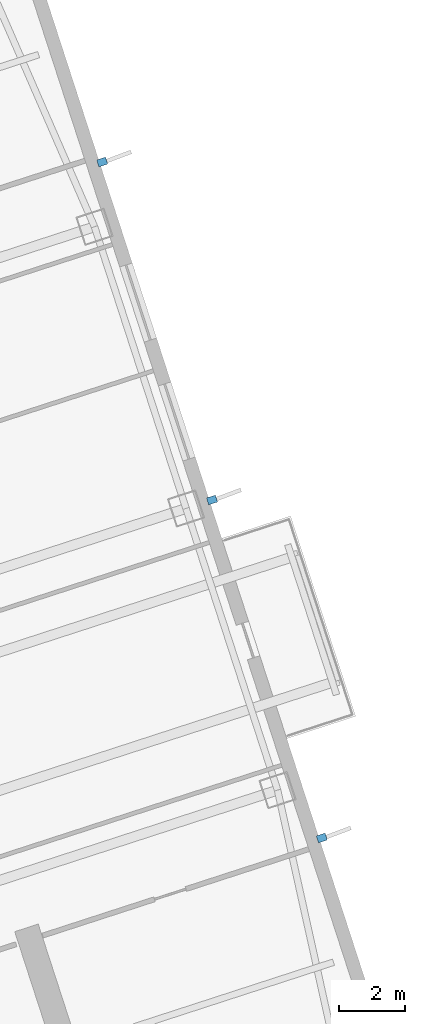
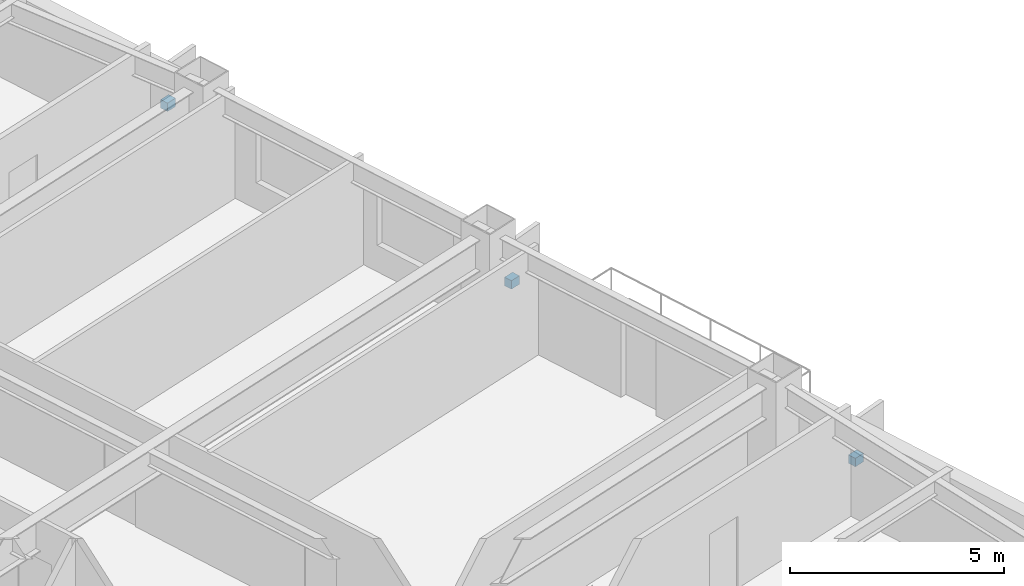
# One storey, part 14 of 19: 3 discrete accessories.
"""IFC4 building model written with IfcOpenShell, lengths in metres."""

from ifc_helpers import new_model, si_unit, direction, frame, origin, origin_2d, place, context, subcontext, project, spatial, rectangle, extrude, material, type_object, element, save


model = new_model("IFC4")

# Units and contexts
model_context = context("Model", 3, precision=1e-05, world=origin(), true_north=direction((0.0, 1.0)))
body_context = subcontext(model_context, "Body", "Model", "MODEL_VIEW")
ifc_project = project(units=[si_unit("LENGTHUNIT", "METRE"), si_unit("AREAUNIT", "SQUARE_METRE"), si_unit("VOLUMEUNIT", "CUBIC_METRE"), si_unit("PLANEANGLEUNIT", "RADIAN"), si_unit("MASSUNIT", "GRAM", prefix="KILO")], contexts=[model_context])

# Site, building, storey
site_placement = place(None, origin())
site = spatial("IfcSite", under=ifc_project, at=site_placement, CompositionType="ELEMENT")
building_placement = place(site_placement, origin())
building = spatial("IfcBuilding", under=site, at=building_placement, Name="Qiaolan Cultural Towers", CompositionType="ELEMENT")
storey_placement = place(building_placement, frame((0.0, 0.0, 88.550048828125)))
storey = spatial("IfcBuildingStorey", under=building, at=storey_placement, Name="L22", CompositionType="ELEMENT", Elevation=88.550048828125)

# Discrete accessories
ifc_material = material(Name="Stainless Steel S31608 Facade Anchor Bracket", Category="steel")
discrete_accessory_type = type_object("IfcDiscreteAccessoryType", Name="ACC-BRK-SS", PredefinedType="BRACKET", material=ifc_material)
for number, where, z_axis, x_axis, name in (
    (1, (110.056884765625, 29.1611328125, 1.15478515625), (0.0, 0.0, 1.0), (0.951056516295, 0.309016994375, 0.0), "L22 T2 Facade Fin Anchor Bracket E1"),
    (2, (106.719482421875, 39.4326171875, 1.15478515625), (0.0, 0.0, 1.0), (0.951056516295, 0.309016994375, 0.0), "L22 T2 Facade Fin Anchor Bracket E2"),
    (3, (103.382080078125, 49.703857421875, 1.15478515625), (0.0, 0.0, 1.0), (0.951056516295, 0.309016994375, 0.0), "L22 T2 Facade Fin Anchor Bracket E3"),
):
    element("IfcDiscreteAccessory", number, at=place(storey_placement, frame(where, z_axis=z_axis, x_axis=x_axis)), inside=storey, type_object=discrete_accessory_type, Name=name, PredefinedType="BRACKET", context=body_context, shape_type="SweptSolid", body=[
        extrude(rectangle(XDim=0.280029296875, YDim=0.219970703125, at=origin_2d()), origin(), (0.0, 0.0, 1.0), 0.239990234375),
    ])

save(model, "model.ifc")
